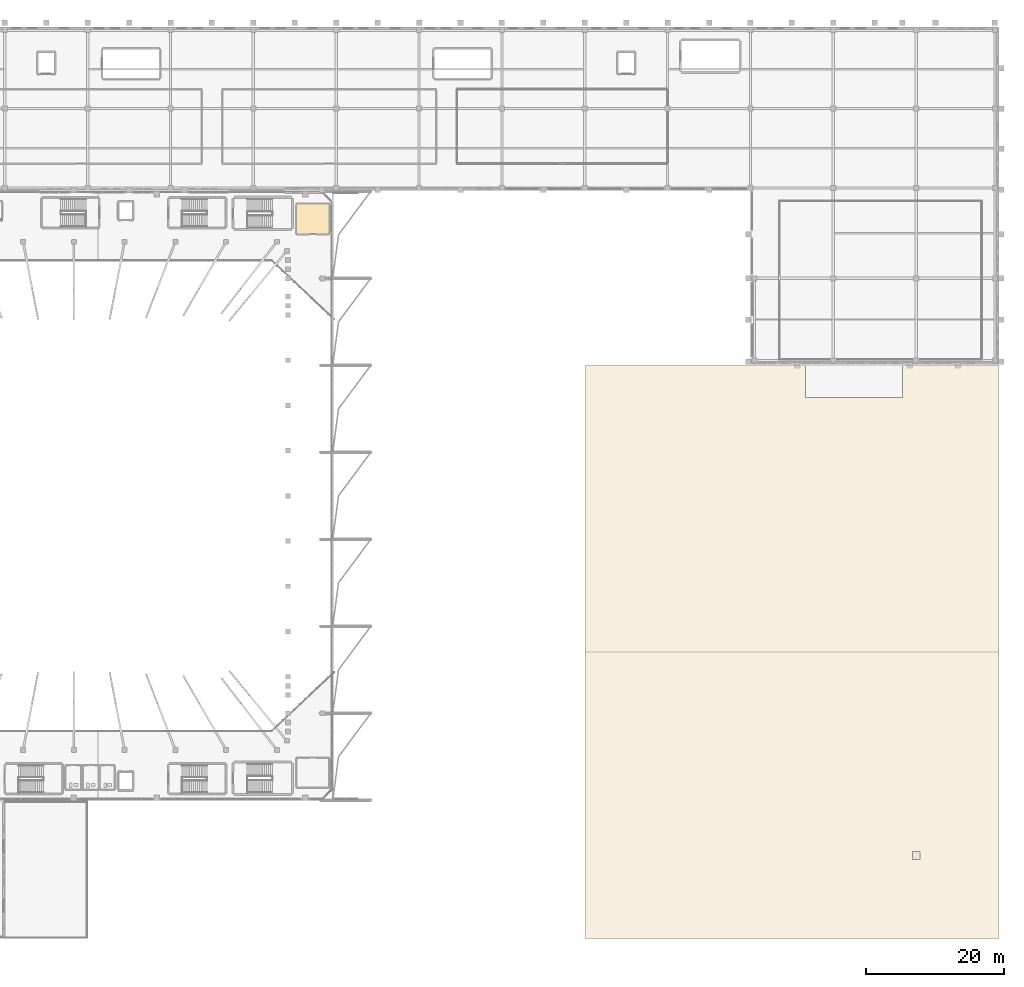
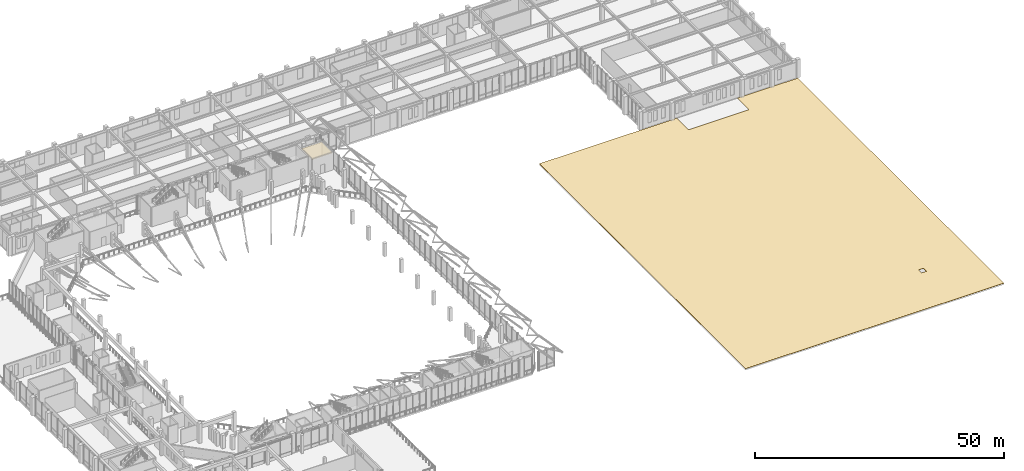
# One storey, part 78 of 79: 2 coverings, 1 element without a shape of its own.
"""IFC4 building model written with IfcOpenShell, lengths in metres."""

from ifc_helpers import new_model, si_unit, derived_unit, direction, frame, origin, place, context, subcontext, project, spatial, polyline, outline, extrude, material, layer, layer_set, type_object, element, aggregate, save


model = new_model("IFC4")

# Units and contexts
model_context = context("Model", 3, precision=1e-05, world=origin(), true_north=direction((0.0, 1.0)))
body_context = subcontext(model_context, "Body", "Model", "MODEL_VIEW")
ifc_project = project(units=[si_unit("LENGTHUNIT", "METRE"), si_unit("AREAUNIT", "SQUARE_METRE"), si_unit("VOLUMEUNIT", "CUBIC_METRE"), si_unit("PLANEANGLEUNIT", "RADIAN"), si_unit("MASSUNIT", "GRAM", prefix="KILO"), derived_unit("THERMALTRANSMITTANCEUNIT", [(si_unit("MASSUNIT", "GRAM", prefix="KILO"), 1), (si_unit("TIMEUNIT", "SECOND"), -3), (si_unit("THERMODYNAMICTEMPERATUREUNIT", "KELVIN"), -1)])], contexts=[model_context])

# Site, building, storey
site_placement = place(None, origin())
site = spatial("IfcSite", under=ifc_project, at=site_placement, CompositionType="ELEMENT")
building_placement = place(site_placement, origin())
building = spatial("IfcBuilding", under=site, at=building_placement, Name="Valcora Ridge Arena", CompositionType="ELEMENT")
storey_placement = place(building_placement, frame((0.0, 0.0, 16.199951171875)))
storey = spatial("IfcBuildingStorey", under=building, at=storey_placement, Name="L03", CompositionType="ELEMENT", Elevation=16.199951171875)

# Covering
ifc_material_1 = material(Name="Perforated mineral-wool acoustic ceiling baffle tile")
ifc_layer_1 = layer(ifc_material_1, 0.0400390625, Name="Perforated mineral-wool acoustic ceiling baffle tile")
ifc_layer_set_1 = layer_set([ifc_layer_1], Name="Perforated mineral-wool acoustic ceiling baffle tile")
covering_type_1 = type_object("IfcCoveringType", Name="TY-COVERING-CLG-ACOUSTIC-600", PredefinedType="CEILING", material=ifc_layer_set_1)
covering_1_placement = place(storey_placement, frame((0.0, 0.0, 4.090087890625)))
element("IfcCovering", 1, at=covering_1_placement, inside=storey, type_object=covering_type_1, Name="CLG-ACOUSTIC-600 COV-CL-0004", PredefinedType="CEILING", context=body_context, shape_type="SweptSolid", body=[
    extrude(outline(polyline([(90.199951171875, 102.0), (95.0, 102.0), (95.0, 106.39990234375), (90.199951171875, 106.39990234375), (90.199951171875, 102.0)])), origin(), (0.0, 0.0, 1.0), 0.0400390625),
])

# Roof, covering
ifc_material_2 = material(Name="Weathered zinc-bronze standing-seam metal Grade Z275")
roof_type = type_object("IfcRoofType", Name="TY-ROOF-ROOF-SYS-V2", PredefinedType="FLAT_ROOF", material=ifc_material_2)
roof_placement = place(storey_placement, origin())
roof = element("IfcRoof", 2, at=roof_placement, inside=storey, type_object=roof_type, Name="ROOF-SYS-V2 ROF-0002", PredefinedType="FLAT_ROOF")
ifc_layer_2 = layer(ifc_material_2, 0.0400390625, Name="Weathered zinc-bronze standing-seam metal Grade Z275")
ifc_layer_set_2 = layer_set([ifc_layer_2], Name="Weathered zinc-bronze standing-seam metal Grade Z275")
covering_type_2 = type_object("IfcCoveringType", Name="TY-COVERING-COV-ZINC-V2", PredefinedType="ROOFING", material=ifc_layer_set_2)
covering_2_placement = place(storey_placement, origin())
covering_2 = element("IfcCovering", 3, at=covering_2_placement, type_object=covering_type_2, Name="COV-ZINC-V2 COV-RF-0099", PredefinedType="ROOFING", context=body_context, shape_type="SweptSolid", body=[
    extrude(outline(polyline([(192.0, 83.0), (178.02001953125, 83.0), (178.02001953125, 78.330078125), (163.97998046875, 78.330078125), (163.97998046875, 83.0), (132.0, 83.0), (132.0, 0.0), (192.0, 0.0), (192.0, 83.0)]), holes=[polyline([(180.544921875, 12.594970703125), (179.455078125, 12.594970703125), (179.455078125, 11.405029296875), (180.544921875, 11.405029296875), (180.544921875, 12.594970703125)])]), origin(), (0.0, 0.0, 1.0), 0.0400390625),
])
aggregate(roof, [covering_2])

save(model, "model.ifc")
